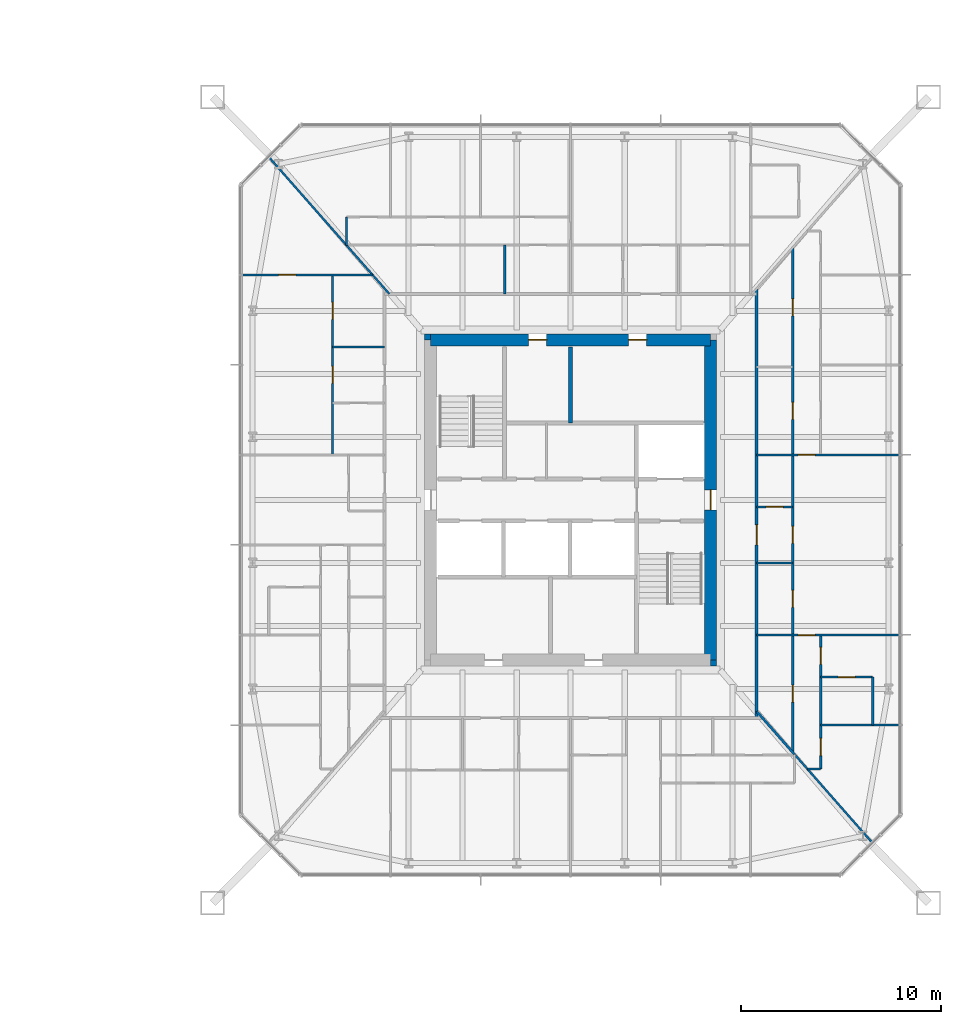
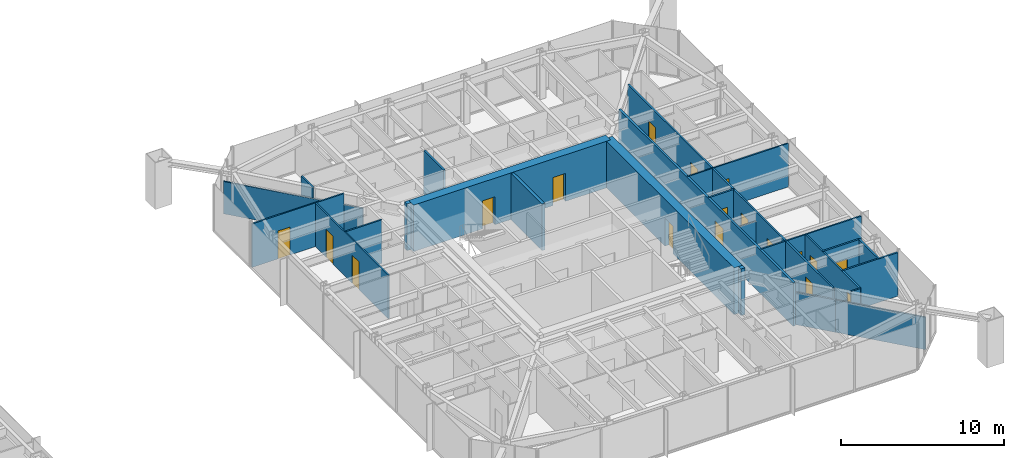
# One storey, part 20 of 26: 24 walls, 18 doors, 18 openings.
"""IFC4 building model written with IfcOpenShell, lengths in metres."""

import ifcopenshell
import ifcopenshell.guid

model = None  # the IFC model being written
_history = None  # IfcOwnerHistory: only IFC2X3 demands one
_inside = {}  # id of a spatial element -> (the spatial element, [elements in it])
_under = {}  # id of a project, library or spatial element -> (it, [spatial elements below it])
_declared = {}  # id of a project -> (the project, [libraries it declares])
_typed = {}  # id of a type object -> (the type object, [elements of that type])
_made_of = {}  # id of a material, layer set ... -> (it, [elements and type objects made of it])


def new_model(schema):
    """Start an empty IFC model of exactly this schema.

    Asked for "IFC4X3", IfcOpenShell would pick the latest addendum, in which some entities
    have other attributes; the version numbers below select the first issue.
    IFC2X3 requires an IfcOwnerHistory on every rooted entity: one is made here for all.
    """
    global model, _history
    if schema == "IFC4X3":
        model = ifcopenshell.file(schema_version=(4, 3, 0, 0))
    else:
        model = ifcopenshell.file(schema=schema)
    _inside.clear()
    _under.clear()
    _declared.clear()
    _typed.clear()
    _made_of.clear()
    _history = None
    if model.schema == "IFC2X3":
        org = make("IfcOrganization", Name="unknown")
        user = make(
            "IfcPersonAndOrganization",
            ThePerson=make("IfcPerson", FamilyName="unknown"),
            TheOrganization=org,
        )
        app = make(
            "IfcApplication",
            ApplicationDeveloper=org,
            Version="unknown",
            ApplicationFullName="unknown",
            ApplicationIdentifier="unknown",
        )
        _history = make(
            "IfcOwnerHistory",
            OwningUser=user,
            OwningApplication=app,
            ChangeAction="ADDED",
            CreationDate=0,
        )
    return model


def make(cls, **values):
    """One entity of the class cls with the attributes given. An attribute that is None is left unset."""
    return model.create_entity(
        cls, **{name: value for name, value in values.items() if value is not None}
    )


def rooted(cls, **values):
    """An entity with a GlobalId (a new one), such as an element, a storey or a relation."""
    return make(cls, GlobalId=ifcopenshell.guid.new(), OwnerHistory=_history, **values)


def si_unit(unit_type, name, prefix=None):
    """IfcSIUnit, for example si_unit("LENGTHUNIT", "METRE", prefix="MILLI")."""
    return make("IfcSIUnit", UnitType=unit_type, Prefix=prefix, Name=name)


def assignment(units):
    """IfcUnitAssignment: the units of a project."""
    return None if units is None else make("IfcUnitAssignment", Units=units)


def point(xyz):
    """IfcCartesianPoint."""
    return None if xyz is None else make("IfcCartesianPoint", Coordinates=xyz)


def direction(xyz):
    """IfcDirection."""
    return None if xyz is None else make("IfcDirection", DirectionRatios=xyz)


def frame(location, z_axis=None, x_axis=None):
    """IfcAxis2Placement3D, a coordinate frame: its origin and axes. An axis left out is left unset."""
    return make(
        "IfcAxis2Placement3D",
        Location=point(location),
        Axis=direction(z_axis),
        RefDirection=direction(x_axis),
    )


def frame_2d(location, x_axis=None):
    """IfcAxis2Placement2D, a coordinate frame in the plane: its origin and x axis."""
    return make(
        "IfcAxis2Placement2D", Location=point(location), RefDirection=direction(x_axis)
    )


def origin():
    """The frame at (0, 0, 0) with its axes left unset."""
    return frame((0.0, 0.0, 0.0))


def place(relative_to, where):
    """IfcLocalPlacement: puts the frame where relative to a parent placement (None: the world)."""
    return make(
        "IfcLocalPlacement", PlacementRelTo=relative_to, RelativePlacement=where
    )


def context(
    kind, dimensions, precision=None, world=None, true_north=None, identifier=None
):
    """IfcGeometricRepresentationContext, for example the 3D "Model" context."""
    return make(
        "IfcGeometricRepresentationContext",
        ContextIdentifier=identifier,
        ContextType=kind,
        CoordinateSpaceDimension=dimensions,
        Precision=precision,
        WorldCoordinateSystem=world,
        TrueNorth=true_north,
    )


def subcontext(parent, identifier, kind, view, scale=None):
    """IfcGeometricRepresentationSubContext, for example "Body" below "Model"."""
    return make(
        "IfcGeometricRepresentationSubContext",
        ContextIdentifier=identifier,
        ContextType=kind,
        ParentContext=parent,
        TargetScale=scale,
        TargetView=view,
    )


def project(units=None, contexts=None):
    """IfcProject with its units and contexts."""
    return rooted(
        "IfcProject",
        Name="project",
        RepresentationContexts=contexts,
        UnitsInContext=assignment(units),
    )


def spatial(cls, under=None, at=None, **own):
    """A site, building, storey or space (cls), placed at a placement, below another one or the project."""
    s = rooted(cls, ObjectPlacement=at, **own)
    if under is not None:
        _under.setdefault(under.id(), (under, []))[1].append(s)
    return s


def profile(cls, at=None, kind="AREA", **sizes):
    """A parametric profile (cls). Its sizes go by their IFC names, for example OverallWidth=200.0."""
    return make(cls, ProfileType=kind, Position=at, **sizes)


def rectangle(**sizes):
    """IfcRectangleProfileDef."""
    return profile("IfcRectangleProfileDef", **sizes)


def extrude(swept, where, along, depth):
    """IfcExtrudedAreaSolid: the profile swept, set in the frame where, extruded along a direction by depth."""
    return make(
        "IfcExtrudedAreaSolid",
        SweptArea=swept,
        Position=where,
        ExtrudedDirection=direction(along),
        Depth=depth,
    )


def shape(context_of_items, identifier, shape_type, items):
    """IfcShapeRepresentation: the items that make up one representation, for example the "Body"."""
    return make(
        "IfcShapeRepresentation",
        ContextOfItems=context_of_items,
        RepresentationIdentifier=identifier,
        RepresentationType=shape_type,
        Items=items,
    )


def material(Name=None, Category=None):
    """IfcMaterial."""
    return make("IfcMaterial", Name=Name, Category=Category)


def layer(
    of_material, thickness, ventilated=None, Name=None, Category=None, Priority=None
):
    """IfcMaterialLayer: one layer of a wall or slab, of a material (None: an air gap)."""
    return make(
        "IfcMaterialLayer",
        Material=of_material,
        LayerThickness=thickness,
        IsVentilated=ventilated,
        Name=Name,
        Category=Category,
        Priority=Priority,
    )


def layer_set(layers, Name=None):
    """IfcMaterialLayerSet."""
    return make("IfcMaterialLayerSet", MaterialLayers=layers, LayerSetName=Name)


def made_of(thing, what):
    """Note that an element or type object is made of a material, layer set ...; save() writes the relation."""
    if what is not None:
        _made_of.setdefault(what.id(), (what, []))[1].append(thing)
    return thing


def type_object(cls, material=None, **own):
    """A type object (cls), such as IfcWallType, which elements share."""
    return made_of(rooted(cls, **own), material)


def element(
    cls,
    number,
    at=None,
    inside=None,
    cuts=None,
    type_object=None,
    material=None,
    context=None,
    identifier="Body",
    shape_type=None,
    held_by="IfcProductDefinitionShape",
    body=None,
    shapes=None,
    **own,
):
    """One element of the class cls, such as IfcWall. Its Tag is "e" and its number.

    at: its placement. inside: the storey or other place that contains it. cuts: it is an
    opening in that element (IfcRelVoidsElement). A single representation is given by context,
    identifier, shape_type and body (its items); several are given by shapes. held_by: the class
    of the entity that holds the representations. save() writes the other relations.
    """
    e = rooted(cls, Tag="e%d" % number, ObjectPlacement=at, **own)
    if body is not None:
        shapes = [shape(context, identifier, shape_type, body)]
    if shapes is not None:
        e.Representation = make(held_by, Representations=shapes)
    if inside is not None:
        _inside.setdefault(inside.id(), (inside, []))[1].append(e)
    if cuts is not None:
        rooted(
            "IfcRelVoidsElement", RelatingBuildingElement=cuts, RelatedOpeningElement=e
        )
    if type_object is not None:
        _typed.setdefault(type_object.id(), (type_object, []))[1].append(e)
    return made_of(e, material)


def fill(opening, filler):
    """IfcRelFillsElement: the door or window that sits in an opening."""
    return rooted(
        "IfcRelFillsElement",
        RelatingOpeningElement=opening,
        RelatedBuildingElement=filler,
    )


def aggregate(whole, parts):
    """IfcRelAggregates: a whole, such as a stair, and the parts it consists of."""
    return rooted("IfcRelAggregates", RelatingObject=whole, RelatedObjects=parts)


def save(model, path):
    """Write the relations noted so far, then the file.

    IfcRelAggregates (storeys below a building ...), IfcRelContainedInSpatialStructure (elements
    in a storey), IfcRelDefinesByType, IfcRelAssociatesMaterial and IfcRelDeclares: one each for
    every whole, place, type object, material and project.
    """
    for whole, parts in _under.values():
        aggregate(whole, parts)
    for where, things in _inside.values():
        rooted(
            "IfcRelContainedInSpatialStructure",
            RelatedElements=things,
            RelatingStructure=where,
        )
    for kind, things in _typed.values():
        rooted("IfcRelDefinesByType", RelatedObjects=things, RelatingType=kind)
    for what, things in _made_of.values():
        rooted("IfcRelAssociatesMaterial", RelatedObjects=things, RelatingMaterial=what)
    for by, libraries in _declared.values():
        rooted("IfcRelDeclares", RelatingContext=by, RelatedDefinitions=libraries)
    model.write(path)


model = new_model("IFC4")

# Units and contexts
model_context = context("Model", 3, precision=1e-05, world=origin(), true_north=direction((0.0, 1.0)))
body_context = subcontext(model_context, "Body", "Model", "MODEL_VIEW")
ifc_project = project(units=[si_unit("LENGTHUNIT", "METRE"), si_unit("AREAUNIT", "SQUARE_METRE"), si_unit("VOLUMEUNIT", "CUBIC_METRE"), si_unit("PLANEANGLEUNIT", "RADIAN"), si_unit("MASSUNIT", "GRAM", prefix="KILO")], contexts=[model_context])

# Site, building, storey
site_placement = place(None, origin())
site = spatial("IfcSite", under=ifc_project, at=site_placement, CompositionType="ELEMENT")
building_placement = place(site_placement, origin())
building = spatial("IfcBuilding", under=site, at=building_placement, Name="Iwan Alto Co-Living Towers", CompositionType="ELEMENT")
storey_placement = place(building_placement, frame((0.0, 0.0, 57.0)))
storey = spatial("IfcBuildingStorey", under=building, at=storey_placement, Name="L15", CompositionType="ELEMENT", Elevation=57.0)

# Wall, opening, door
ifc_material_1 = material(Name="Gypsum board")
ifc_layer_1 = layer(ifc_material_1, 0.02490234375, Name="Board", Category="Finish")
ifc_material_2 = material(Name="Steel ASTM A1003 ST33H cold-formed studs", Category="steel")
ifc_layer_2 = layer(ifc_material_2, 0.10009765625, Name="Studs", Category="Framing")
ifc_layer_3 = layer(ifc_material_1, 0.02490234375, Name="Board", Category="Finish")
ifc_layer_set_1 = layer_set([ifc_layer_1, ifc_layer_2, ifc_layer_3], Name="CORRIDOR WALL 150")
wall_type_1 = type_object("IfcWallType", Name="CORRIDOR WALL 150", PredefinedType="PARTITIONING", material=ifc_layer_set_1)
wall_1_placement = place(storey_placement, frame((72.300048828125, -10.89990234375, 0.0), z_axis=(0.0, 0.0, 1.0), x_axis=(0.0, 1.0, 0.0)))
wall_1 = element("IfcWall", 1, at=wall_1_placement, inside=storey, type_object=wall_type_1, Name="Partition L15", PredefinedType="PARTITIONING", context=body_context, shape_type="SweptSolid", body=[
    extrude(rectangle(XDim=21.468017578125, YDim=0.14990234375, at=frame_2d((10.73388671875, 0.0))), origin(), (0.0, 0.0, 1.0), 3.27001953125),
])
opening_1_placement = place(wall_1_placement, frame((8.64990234375, 0.0, 0.0)))
opening_1 = element("IfcOpeningElement", 2, at=opening_1_placement, cuts=wall_1, Name="Opening D3", PredefinedType="OPENING", context=body_context, shape_type="SweptSolid", body=[
    extrude(rectangle(XDim=1.0, YDim=2.10009765625, at=frame_2d((0.5, 1.050048828125))), frame((0.0, 0.0849609375, 0.0), z_axis=(0.0, -1.0, 0.0), x_axis=(1.0, 0.0, 0.0)), (0.0, 0.0, 1.0), 0.169921875),
])
ifc_material_3 = material(Name="Steel frame with timber leaf", Category="steel")
door_type_1 = type_object("IfcDoorType", Name="FLAT ENTRANCE DOOR FD30S 1000X2100", OperationType="SINGLE_SWING_LEFT", PredefinedType="DOOR", material=ifc_material_3)
door_1_placement = place(opening_1_placement, frame((1.0, 0.0, 0.0), z_axis=(0.0, 0.0, 1.0), x_axis=(-1.0, 0.0, 0.0)))
door_1 = element("IfcDoor", 3, at=door_1_placement, inside=storey, type_object=door_type_1, Name="Apartment foyer door L15", OperationType="SINGLE_SWING_RIGHT", OverallHeight=2.10009765625, OverallWidth=1.0, PredefinedType="DOOR", context=body_context, shape_type="SweptSolid", body=[
    extrude(rectangle(XDim=1.0, YDim=2.10009765625, at=frame_2d((0.5, 1.050048828125))), frame((0.0, 0.02490234375, 0.0), z_axis=(0.0, -1.0, 0.0), x_axis=(1.0, 0.0, 0.0)), (0.0, 0.0, 1.0), 0.050048828125),
])
fill(opening_1, door_1)

# Wall
ifc_layer_4 = layer(ifc_material_1, 0.012451171875, Name="Board", Category="Finish")
ifc_layer_5 = layer(ifc_material_2, 0.074951171875, Name="Studs", Category="Framing")
ifc_layer_6 = layer(ifc_material_1, 0.012451171875, Name="Board", Category="Finish")
ifc_layer_set_2 = layer_set([ifc_layer_4, ifc_layer_5, ifc_layer_6], Name="PARTITION 100")
wall_type_2 = type_object("IfcWallType", Name="PARTITION 100", PredefinedType="PARTITIONING", material=ifc_layer_set_2)
wall_2_placement = place(storey_placement, frame((74.8359375, -13.449951171875, 0.0), z_axis=(0.0, 0.0, 1.0), x_axis=(1.0, 0.0, 0.0)))
element("IfcWall", 4, at=wall_2_placement, inside=storey, type_object=wall_type_2, Name="Partition L15", PredefinedType="PARTITIONING", context=body_context, shape_type="SweptSolid", body=[
    extrude(rectangle(XDim=0.6640625, YDim=0.10009765625, at=frame_2d((0.33203125, 0.0))), origin(), (0.0, 0.0, 1.0), 3.27001953125),
])

# Wall, opening, door
wall_3_placement = place(storey_placement, frame((72.300048828125, -6.75, 0.0), z_axis=(0.0, 0.0, 1.0), x_axis=(1.0, 0.0, 0.0)))
wall_3 = element("IfcWall", 5, at=wall_3_placement, inside=storey, type_object=wall_type_2, Name="Partition L15", PredefinedType="PARTITIONING", context=body_context, shape_type="SweptSolid", body=[
    extrude(rectangle(XDim=7.139892578125, YDim=0.10009765625, at=frame_2d((3.56982421875, 0.0))), origin(), (0.0, 0.0, 1.0), 3.27001953125),
])
opening_2_placement = place(wall_3_placement, frame((2.074951171875, 0.0, 0.0)))
opening_2 = element("IfcOpeningElement", 6, at=opening_2_placement, cuts=wall_3, Name="Opening D2", PredefinedType="OPENING", context=body_context, shape_type="SweptSolid", body=[
    extrude(rectangle(XDim=0.85009765625, YDim=2.10009765625, at=frame_2d((0.425048828125, 1.050048828125))), frame((0.0, 0.06005859375, 0.0), z_axis=(0.0, -1.0, 0.0), x_axis=(1.0, 0.0, 0.0)), (0.0, 0.0, 1.0), 0.1201171875),
])
ifc_material_4 = material(Name="Timber leaf in steel frame", Category="steel")
door_type_2 = type_object("IfcDoorType", Name="ROOM DOOR 850X2100", OperationType="SINGLE_SWING_LEFT", PredefinedType="DOOR", material=ifc_material_4)
door_2_placement = place(opening_2_placement, origin())
door_2 = element("IfcDoor", 7, at=door_2_placement, inside=storey, type_object=door_type_2, Name="Apartment hall door L15", OperationType="SINGLE_SWING_LEFT", OverallHeight=2.10009765625, OverallWidth=0.85009765625, PredefinedType="DOOR", context=body_context, shape_type="SweptSolid", body=[
    extrude(rectangle(XDim=0.85009765625, YDim=2.10009765625, at=frame_2d((0.425048828125, 1.050048828125))), frame((0.0, 0.02490234375, 0.0), z_axis=(0.0, -1.0, 0.0), x_axis=(1.0, 0.0, 0.0)), (0.0, 0.0, 1.0), 0.050048828125),
])
fill(opening_2, door_2)

# Wall
wall_4_placement = place(storey_placement, frame((72.300048828125, -3.14990234375, 0.0), z_axis=(0.0, 0.0, 1.0), x_axis=(1.0, 0.0, 0.0)))
element("IfcWall", 8, at=wall_4_placement, inside=storey, type_object=wall_type_2, Name="Partition L15", PredefinedType="PARTITIONING", context=body_context, shape_type="SweptSolid", body=[
    extrude(rectangle(XDim=1.800048828125, YDim=0.10009765625, at=frame_2d((0.89990234375, 0.0))), origin(), (0.0, 0.0, 1.0), 2.586669921875),
])

# Wall, opening, door
wall_5_placement = place(storey_placement, frame((72.300048828125, 2.25, 0.0), z_axis=(0.0, 0.0, 1.0), x_axis=(1.0, 0.0, 0.0)))
wall_5 = element("IfcWall", 9, at=wall_5_placement, inside=storey, type_object=wall_type_2, Name="Partition L15", PredefinedType="PARTITIONING", context=body_context, shape_type="SweptSolid", body=[
    extrude(rectangle(XDim=7.139892578125, YDim=0.10009765625, at=frame_2d((3.56982421875, 0.0))), origin(), (0.0, 0.0, 1.0), 3.27001953125),
])
opening_3_placement = place(wall_5_placement, frame((2.074951171875, 0.0, 0.0)))
opening_3 = element("IfcOpeningElement", 10, at=opening_3_placement, cuts=wall_5, Name="Opening D2", PredefinedType="OPENING", context=body_context, shape_type="SweptSolid", body=[
    extrude(rectangle(XDim=0.85009765625, YDim=2.10009765625, at=frame_2d((0.425048828125, 1.050048828125))), frame((0.0, 0.06005859375, 0.0), z_axis=(0.0, -1.0, 0.0), x_axis=(1.0, 0.0, 0.0)), (0.0, 0.0, 1.0), 0.1201171875),
])
door_3_placement = place(opening_3_placement, frame((0.85009765625, 0.0, 0.0), z_axis=(0.0, 0.0, 1.0), x_axis=(-1.0, 0.0, 0.0)))
door_3 = element("IfcDoor", 11, at=door_3_placement, inside=storey, type_object=door_type_2, Name="Apartment hall door L15", OperationType="SINGLE_SWING_RIGHT", OverallHeight=2.10009765625, OverallWidth=0.85009765625, PredefinedType="DOOR", context=body_context, shape_type="SweptSolid", body=[
    extrude(rectangle(XDim=0.85009765625, YDim=2.10009765625, at=frame_2d((0.425048828125, 1.050048828125))), frame((0.0, 0.02490234375, 0.0), z_axis=(0.0, -1.0, 0.0), x_axis=(1.0, 0.0, 0.0)), (0.0, 0.0, 1.0), 0.050048828125),
])
fill(opening_3, door_3)

# Wall
wall_6_placement = place(storey_placement, frame((51.10009765625, 7.64990234375, 0.0), z_axis=(0.0, 0.0, 1.0), x_axis=(1.0, 0.0, 0.0)))
element("IfcWall", 12, at=wall_6_placement, inside=storey, type_object=wall_type_2, Name="Partition L15", PredefinedType="PARTITIONING", context=body_context, shape_type="SweptSolid", body=[
    extrude(rectangle(XDim=2.599853515625, YDim=0.10009765625, at=frame_2d((1.2998046875, 0.0))), origin(), (0.0, 0.0, 1.0), 3.27001953125),
])

# Wall, opening, door
wall_7_placement = place(storey_placement, frame((46.56005859375, 11.25, 0.0), z_axis=(0.0, 0.0, 1.0), x_axis=(1.0, 0.0, 0.0)))
wall_7 = element("IfcWall", 13, at=wall_7_placement, inside=storey, type_object=wall_type_2, Name="Partition L15", PredefinedType="PARTITIONING", context=body_context, shape_type="SweptSolid", body=[
    extrude(rectangle(XDim=6.5400390625, YDim=0.10009765625, at=frame_2d((3.27001953125, 0.0))), origin(), (0.0, 0.0, 1.0), 3.27001953125),
])
opening_4_placement = place(wall_7_placement, frame((1.844970703125, 0.0, 0.0)))
opening_4 = element("IfcOpeningElement", 14, at=opening_4_placement, cuts=wall_7, Name="Opening D2", PredefinedType="OPENING", context=body_context, shape_type="SweptSolid", body=[
    extrude(rectangle(XDim=0.85009765625, YDim=2.10009765625, at=frame_2d((0.425048828125, 1.050048828125))), frame((0.0, 0.06005859375, 0.0), z_axis=(0.0, -1.0, 0.0), x_axis=(1.0, 0.0, 0.0)), (0.0, 0.0, 1.0), 0.1201171875),
])
door_4_placement = place(opening_4_placement, frame((0.85009765625, 0.0, 0.0), z_axis=(0.0, 0.0, 1.0), x_axis=(-1.0, 0.0, 0.0)))
door_4 = element("IfcDoor", 15, at=door_4_placement, inside=storey, type_object=door_type_2, Name="Bedroom door L15", OperationType="SINGLE_SWING_LEFT", OverallHeight=2.10009765625, OverallWidth=0.85009765625, PredefinedType="DOOR", context=body_context, shape_type="SweptSolid", body=[
    extrude(rectangle(XDim=0.85009765625, YDim=2.10009765625, at=frame_2d((0.425048828125, 1.050048828125))), frame((0.0, 0.02490234375, 0.0), z_axis=(0.0, -1.0, 0.0), x_axis=(1.0, 0.0, 0.0)), (0.0, 0.0, 1.0), 0.050048828125),
])
fill(opening_4, door_4)

# Wall
wall_8_placement = place(storey_placement, frame((51.800048828125, 12.72705078125, 0.0), z_axis=(0.0, 0.0, 1.0), x_axis=(0.0, 1.0, 0.0)))
element("IfcWall", 16, at=wall_8_placement, inside=storey, type_object=wall_type_2, Name="Partition L15", PredefinedType="PARTITIONING", context=body_context, shape_type="SweptSolid", body=[
    extrude(rectangle(XDim=1.4228515625, YDim=0.10009765625, at=frame_2d((0.71142578125, 0.0))), origin(), (0.0, 0.0, 1.0), 3.27001953125),
])

# Wall, openings, doors
wall_9_placement = place(storey_placement, frame((51.10009765625, 2.25, 0.0), z_axis=(0.0, 0.0, 1.0), x_axis=(0.0, 1.0, 0.0)))
wall_9 = element("IfcWall", 17, at=wall_9_placement, inside=storey, type_object=wall_type_2, Name="Partition L15", PredefinedType="PARTITIONING", context=body_context, shape_type="SweptSolid", body=[
    extrude(rectangle(XDim=9.0, YDim=0.10009765625, at=frame_2d((4.5, 0.0))), origin(), (0.0, 0.0, 1.0), 3.27001953125),
])
opening_5_placement = place(wall_9_placement, frame((6.77490234375, 0.0, 0.0)))
opening_5 = element("IfcOpeningElement", 18, at=opening_5_placement, cuts=wall_9, Name="Opening D2", PredefinedType="OPENING", context=body_context, shape_type="SweptSolid", body=[
    extrude(rectangle(XDim=0.85009765625, YDim=2.10009765625, at=frame_2d((0.425048828125, 1.050048828125))), frame((0.0, 0.06005859375, 0.0), z_axis=(0.0, -1.0, 0.0), x_axis=(1.0, 0.0, 0.0)), (0.0, 0.0, 1.0), 0.1201171875),
])
opening_6_placement = place(wall_9_placement, frame((3.574951171875, 0.0, 0.0)))
opening_6 = element("IfcOpeningElement", 19, at=opening_6_placement, cuts=wall_9, Name="Opening D2", PredefinedType="OPENING", context=body_context, shape_type="SweptSolid", body=[
    extrude(rectangle(XDim=0.85009765625, YDim=2.10009765625, at=frame_2d((0.425048828125, 1.050048828125))), frame((0.0, 0.06005859375, 0.0), z_axis=(0.0, -1.0, 0.0), x_axis=(1.0, 0.0, 0.0)), (0.0, 0.0, 1.0), 0.1201171875),
])
door_5_placement = place(opening_5_placement, origin())
door_5 = element("IfcDoor", 20, at=door_5_placement, inside=storey, type_object=door_type_2, Name="Kitchen door L15", OperationType="SINGLE_SWING_RIGHT", OverallHeight=2.10009765625, OverallWidth=0.85009765625, PredefinedType="DOOR", context=body_context, shape_type="SweptSolid", body=[
    extrude(rectangle(XDim=0.85009765625, YDim=2.10009765625, at=frame_2d((0.425048828125, 1.050048828125))), frame((0.0, 0.02490234375, 0.0), z_axis=(0.0, -1.0, 0.0), x_axis=(1.0, 0.0, 0.0)), (0.0, 0.0, 1.0), 0.050048828125),
])
fill(opening_5, door_5)
door_6_placement = place(opening_6_placement, origin())
door_6 = element("IfcDoor", 21, at=door_6_placement, inside=storey, type_object=door_type_2, Name="Apartment foyer door L15", OperationType="SINGLE_SWING_LEFT", OverallHeight=2.10009765625, OverallWidth=0.85009765625, PredefinedType="DOOR", context=body_context, shape_type="SweptSolid", body=[
    extrude(rectangle(XDim=0.85009765625, YDim=2.10009765625, at=frame_2d((0.425048828125, 1.050048828125))), frame((0.0, 0.02490234375, 0.0), z_axis=(0.0, -1.0, 0.0), x_axis=(1.0, 0.0, 0.0)), (0.0, 0.0, 1.0), 0.050048828125),
])
fill(opening_6, door_6)

# Walls
wall_10_placement = place(storey_placement, frame((53.93603515625, 10.300048828125, 0.0), z_axis=(0.0, 0.0, 1.0), x_axis=(-0.660638210404, 0.750704439146, 0.0)))
element("IfcWall", 22, at=wall_10_placement, inside=storey, type_object=wall_type_2, Name="Partition L15", PredefinedType="PARTITIONING", context=body_context, shape_type="SweptSolid", body=[
    extrude(rectangle(XDim=9.06982421875, YDim=0.10009765625, at=frame_2d((4.534912109375, 0.0))), origin(), (0.0, 0.0, 1.0), 2.42919921875),
])
wall_11_placement = place(storey_placement, frame((78.056640625, -17.109375, 0.0), z_axis=(0.0, 0.0, 1.0), x_axis=(-0.660654290516, 0.750690287951, 0.0)))
element("IfcWall", 23, at=wall_11_placement, inside=storey, type_object=wall_type_2, Name="Partition L15", PredefinedType="PARTITIONING", context=body_context, shape_type="SweptSolid", body=[
    extrude(rectangle(XDim=5.838134765625, YDim=0.10009765625, at=frame_2d((2.9189453125, 0.0))), origin(), (0.0, 0.0, 1.0), 2.42919921875),
])
ifc_material_5 = material(Name="Concrete f'c 70 MPa", Category="concrete")
ifc_layer_7 = layer(ifc_material_5, 0.199951171875)
ifc_layer_set_3 = layer_set([ifc_layer_7], Name="SHAFT WALL 200")
wall_type_3 = type_object("IfcWallType", Name="SHAFT WALL 200", PredefinedType="SOLIDWALL", material=ifc_layer_set_3)
wall_12_placement = place(storey_placement, frame((63.0, 3.85009765625, 0.0), z_axis=(0.0, 0.0, 1.0), x_axis=(0.0, 1.0, 0.0)))
element("IfcWall", 24, at=wall_12_placement, inside=storey, type_object=wall_type_3, Name="Shaft wall L15", PredefinedType="SOLIDWALL", context=body_context, shape_type="SweptSolid", body=[
    extrude(rectangle(XDim=3.789794921875, YDim=0.199951171875, at=frame_2d((1.89501953125, 0.0))), origin(), (0.0, 0.0, 1.0), 3.5),
])
ifc_material_6 = material(Name="Concrete f'c 70 MPa", Category="concrete")
ifc_layer_8 = layer(ifc_material_6, 0.300048828125)
ifc_layer_set_4 = layer_set([ifc_layer_8], Name="T2 CORE CORNER FILL 300")
wall_type_4 = type_object("IfcWallType", Name="T2 CORE CORNER FILL 300", PredefinedType="SOLIDWALL", material=ifc_layer_set_4)
for number, where, z_axis, x_axis, name in (
    (25, (70.0, -8.14990234375, 0.0), (0.0, 0.0, 1.0), (1.0, 0.0, 0.0), "T2 core corner SE L15"),
    (26, (55.699951171875, 8.14990234375, 0.0), (0.0, 0.0, 1.0), (1.0, 0.0, 0.0), "T2 core corner NW L15"),
):
    element("IfcWall", number, at=place(storey_placement, frame(where, z_axis=z_axis, x_axis=x_axis)), inside=storey, type_object=wall_type_4, Name=name, PredefinedType="SOLIDWALL", context=body_context, shape_type="SweptSolid", body=[
        extrude(rectangle(XDim=0.300048828125, YDim=0.300048828125, at=frame_2d((0.14990234375, 0.0))), origin(), (0.0, 0.0, 1.0), 3.5),
    ])

# Wall, openings, doors
ifc_material_7 = material(Name="Concrete f'c 70 MPa", Category="concrete")
ifc_layer_9 = layer(ifc_material_7, 0.60009765625)
ifc_layer_set_5 = layer_set([ifc_layer_9], Name="T2 CORE WALL 600")
wall_type_5 = type_object("IfcWallType", Name="T2 CORE WALL 600", PredefinedType="SHEAR", material=ifc_layer_set_5)
wall_13_placement = place(storey_placement, frame((70.0, 8.0, 0.0), z_axis=(0.0, 0.0, 1.0), x_axis=(-1.0, 0.0, 0.0)))
wall_13 = element("IfcWall", 27, at=wall_13_placement, inside=storey, type_object=wall_type_5, Name="T2 core wall N L15", PredefinedType="SHEAR", context=body_context, shape_type="SweptSolid", body=[
    extrude(rectangle(XDim=14.0, YDim=0.60009765625, at=frame_2d((7.0, 0.0))), origin(), (0.0, 0.0, 1.0), 3.5),
])
opening_7_placement = place(wall_13_placement, frame((8.199951171875, 0.0, 0.0)))
opening_7 = element("IfcOpeningElement", 28, at=opening_7_placement, cuts=wall_13, Name="Opening D8", PredefinedType="OPENING", context=body_context, shape_type="SweptSolid", body=[
    extrude(rectangle(XDim=0.89990234375, YDim=2.10009765625, at=frame_2d((0.449951171875, 1.050048828125))), frame((0.0, 0.31005859375, 0.0), z_axis=(0.0, -1.0, 0.0), x_axis=(1.0, 0.0, 0.0)), (0.0, 0.0, 1.0), 0.6201171875),
])
opening_8_placement = place(wall_13_placement, frame((3.199951171875, 0.0, 0.0)))
opening_8 = element("IfcOpeningElement", 29, at=opening_8_placement, cuts=wall_13, Name="Opening D8", PredefinedType="OPENING", context=body_context, shape_type="SweptSolid", body=[
    extrude(rectangle(XDim=0.89990234375, YDim=2.10009765625, at=frame_2d((0.449951171875, 1.050048828125))), frame((0.0, 0.31005859375, 0.0), z_axis=(0.0, -1.0, 0.0), x_axis=(1.0, 0.0, 0.0)), (0.0, 0.0, 1.0), 0.6201171875),
])
ifc_material_8 = material(Name="Steel frame with timber leaf", Category="steel")
door_type_3 = type_object("IfcDoorType", Name="RISER DOOR FD120 900X2100", OperationType="SINGLE_SWING_LEFT", PredefinedType="DOOR", material=ifc_material_8)
door_7_placement = place(opening_7_placement, origin())
door_7 = element("IfcDoor", 30, at=door_7_placement, inside=storey, type_object=door_type_3, Name="Electrical riser core door L15", OperationType="SINGLE_SWING_RIGHT", OverallHeight=2.10009765625, OverallWidth=0.89990234375, PredefinedType="DOOR", context=body_context, shape_type="SweptSolid", body=[
    extrude(rectangle(XDim=0.89990234375, YDim=2.10009765625, at=frame_2d((0.449951171875, 1.050048828125))), frame((0.0, 0.02490234375, 0.0), z_axis=(0.0, -1.0, 0.0), x_axis=(1.0, 0.0, 0.0)), (0.0, 0.0, 1.0), 0.050048828125),
])
fill(opening_7, door_7)
door_8_placement = place(opening_8_placement, origin())
door_8 = element("IfcDoor", 31, at=door_8_placement, inside=storey, type_object=door_type_3, Name="Water and drainage riser core door L15", OperationType="SINGLE_SWING_RIGHT", OverallHeight=2.10009765625, OverallWidth=0.89990234375, PredefinedType="DOOR", context=body_context, shape_type="SweptSolid", body=[
    extrude(rectangle(XDim=0.89990234375, YDim=2.10009765625, at=frame_2d((0.449951171875, 1.050048828125))), frame((0.0, 0.02490234375, 0.0), z_axis=(0.0, -1.0, 0.0), x_axis=(1.0, 0.0, 0.0)), (0.0, 0.0, 1.0), 0.050048828125),
])
fill(opening_8, door_8)

# Wall, opening, door
wall_14_placement = place(storey_placement, frame((70.0, -8.0, 0.0), z_axis=(0.0, 0.0, 1.0), x_axis=(0.0, 1.0, 0.0)))
wall_14 = element("IfcWall", 32, at=wall_14_placement, inside=storey, type_object=wall_type_5, Name="T2 core wall E L15", PredefinedType="SHEAR", context=body_context, shape_type="SweptSolid", body=[
    extrude(rectangle(XDim=16.0, YDim=0.60009765625, at=frame_2d((8.0, 0.0))), origin(), (0.0, 0.0, 1.0), 3.5),
])
opening_9_placement = place(wall_14_placement, frame((7.5, 0.0, 0.0)))
opening_9 = element("IfcOpeningElement", 33, at=opening_9_placement, cuts=wall_14, Name="Opening D7", PredefinedType="OPENING", context=body_context, shape_type="SweptSolid", body=[
    extrude(rectangle(XDim=1.0, YDim=2.10009765625, at=frame_2d((0.5, 1.050048828125))), frame((0.0, 0.31005859375, 0.0), z_axis=(0.0, -1.0, 0.0), x_axis=(1.0, 0.0, 0.0)), (0.0, 0.0, 1.0), 0.6201171875),
])
ifc_material_9 = material(Name="Steel frame with timber leaf", Category="steel")
door_type_4 = type_object("IfcDoorType", Name="CORE DOOR FD120S 1000X2100", OperationType="SINGLE_SWING_LEFT", PredefinedType="DOOR", material=ifc_material_9)
door_9_placement = place(opening_9_placement, origin())
door_9 = element("IfcDoor", 34, at=door_9_placement, inside=storey, type_object=door_type_4, Name="Firefighting lobby core door L15", OperationType="SINGLE_SWING_LEFT", OverallHeight=2.10009765625, OverallWidth=1.0, PredefinedType="DOOR", context=body_context, shape_type="SweptSolid", body=[
    extrude(rectangle(XDim=1.0, YDim=2.10009765625, at=frame_2d((0.5, 1.050048828125))), frame((0.0, 0.02490234375, 0.0), z_axis=(0.0, -1.0, 0.0), x_axis=(1.0, 0.0, 0.0)), (0.0, 0.0, 1.0), 0.050048828125),
])
fill(opening_9, door_9)

# Wall
ifc_material_10 = material(Name="Cement board")
ifc_layer_10 = layer(ifc_material_10, 0.012451171875, Name="Board", Category="Finish")
ifc_layer_11 = layer(ifc_material_2, 0.094970703125, Name="Studs", Category="Framing")
ifc_layer_12 = layer(ifc_material_10, 0.012451171875, Name="Board", Category="Finish")
ifc_layer_set_6 = layer_set([ifc_layer_10, ifc_layer_11, ifc_layer_12], Name="WET AREA PARTITION 120")
wall_type_6 = type_object("IfcWallType", Name="WET AREA PARTITION 120", PredefinedType="PARTITIONING", material=ifc_layer_set_6)
wall_15_placement = place(storey_placement, frame((75.5, -11.25, 0.0), z_axis=(0.0, 0.0, 1.0), x_axis=(1.0, 0.0, 0.0)))
element("IfcWall", 35, at=wall_15_placement, inside=storey, type_object=wall_type_6, Name="Partition L15", PredefinedType="PARTITIONING", context=body_context, shape_type="SweptSolid", body=[
    extrude(rectangle(XDim=3.93994140625, YDim=0.1201171875, at=frame_2d((1.969970703125, 0.0))), origin(), (0.0, 0.0, 1.0), 3.27001953125),
])

# Wall, opening, door
wall_16_placement = place(storey_placement, frame((75.5, -8.85009765625, 0.0), z_axis=(0.0, 0.0, 1.0), x_axis=(1.0, 0.0, 0.0)))
wall_16 = element("IfcWall", 36, at=wall_16_placement, inside=storey, type_object=wall_type_6, Name="Partition L15", PredefinedType="PARTITIONING", context=body_context, shape_type="SweptSolid", body=[
    extrude(rectangle(XDim=2.60009765625, YDim=0.1201171875, at=frame_2d((1.300048828125, 0.0))), origin(), (0.0, 0.0, 1.0), 3.27001953125),
])
opening_10_placement = place(wall_16_placement, frame((0.875, 0.0, 0.0)))
opening_10 = element("IfcOpeningElement", 37, at=opening_10_placement, cuts=wall_16, Name="Opening D2", PredefinedType="OPENING", context=body_context, shape_type="SweptSolid", body=[
    extrude(rectangle(XDim=0.85009765625, YDim=2.10009765625, at=frame_2d((0.425048828125, 1.050048828125))), frame((0.0, 0.070068359375, 0.0), z_axis=(0.0, -1.0, 0.0), x_axis=(1.0, 0.0, 0.0)), (0.0, 0.0, 1.0), 0.14013671875),
])
door_10_placement = place(opening_10_placement, origin())
door_10 = element("IfcDoor", 38, at=door_10_placement, inside=storey, type_object=door_type_2, Name="En-suite shower room door L15", OperationType="SINGLE_SWING_LEFT", OverallHeight=2.10009765625, OverallWidth=0.85009765625, PredefinedType="DOOR", context=body_context, shape_type="SweptSolid", body=[
    extrude(rectangle(XDim=0.85009765625, YDim=2.10009765625, at=frame_2d((0.425048828125, 1.050048828125))), frame((0.0, 0.02490234375, 0.0), z_axis=(0.0, -1.0, 0.0), x_axis=(1.0, 0.0, 0.0)), (0.0, 0.0, 1.0), 0.050048828125),
])
fill(opening_10, door_10)

wall_17_placement = place(storey_placement, frame((72.300048828125, -0.35009765625, 0.0), z_axis=(0.0, 0.0, 1.0), x_axis=(1.0, 0.0, 0.0)))
wall_17 = element("IfcWall", 39, at=wall_17_placement, inside=storey, type_object=wall_type_6, Name="Partition L15", PredefinedType="PARTITIONING", context=body_context, shape_type="SweptSolid", body=[
    extrude(rectangle(XDim=1.800048828125, YDim=0.1201171875, at=frame_2d((0.89990234375, 0.0))), origin(), (0.0, 0.0, 1.0), 3.27001953125),
])
opening_11_placement = place(wall_17_placement, frame((0.47509765625, 0.0, 0.0)))
opening_11 = element("IfcOpeningElement", 40, at=opening_11_placement, cuts=wall_17, Name="Opening D2", PredefinedType="OPENING", context=body_context, shape_type="SweptSolid", body=[
    extrude(rectangle(XDim=0.85009765625, YDim=2.10009765625, at=frame_2d((0.425048828125, 1.050048828125))), frame((0.0, 0.070068359375, 0.0), z_axis=(0.0, -1.0, 0.0), x_axis=(1.0, 0.0, 0.0)), (0.0, 0.0, 1.0), 0.14013671875),
])
door_11_placement = place(opening_11_placement, origin())
door_11 = element("IfcDoor", 41, at=door_11_placement, inside=storey, type_object=door_type_2, Name="Bathroom door L15", OperationType="SINGLE_SWING_LEFT", OverallHeight=2.10009765625, OverallWidth=0.85009765625, PredefinedType="DOOR", context=body_context, shape_type="SweptSolid", body=[
    extrude(rectangle(XDim=0.85009765625, YDim=2.10009765625, at=frame_2d((0.425048828125, 1.050048828125))), frame((0.0, 0.02490234375, 0.0), z_axis=(0.0, -1.0, 0.0), x_axis=(1.0, 0.0, 0.0)), (0.0, 0.0, 1.0), 0.050048828125),
])
fill(opening_11, door_11)

# Wall
wall_18_placement = place(storey_placement, frame((78.10009765625, -11.25, 0.0), z_axis=(0.0, 0.0, 1.0), x_axis=(0.0, 1.0, 0.0)))
element("IfcWall", 42, at=wall_18_placement, inside=storey, type_object=wall_type_6, Name="Partition L15", PredefinedType="PARTITIONING", context=body_context, shape_type="SweptSolid", body=[
    extrude(rectangle(XDim=2.39990234375, YDim=0.1201171875, at=frame_2d((1.199951171875, 0.0))), origin(), (0.0, 0.0, 1.0), 3.27001953125),
])

# Wall, openings, doors
wall_19_placement = place(storey_placement, frame((75.5, -13.449951171875, 0.0), z_axis=(0.0, 0.0, 1.0), x_axis=(0.0, 1.0, 0.0)))
wall_19 = element("IfcWall", 43, at=wall_19_placement, inside=storey, type_object=wall_type_6, Name="Partition L15", PredefinedType="PARTITIONING", context=body_context, shape_type="SweptSolid", body=[
    extrude(rectangle(XDim=6.699951171875, YDim=0.1201171875, at=frame_2d((3.35009765625, 0.0))), origin(), (0.0, 0.0, 1.0), 3.27001953125),
])
opening_12_placement = place(wall_19_placement, frame((5.22509765625, 0.0, 0.0)))
opening_12 = element("IfcOpeningElement", 44, at=opening_12_placement, cuts=wall_19, Name="Opening D2", PredefinedType="OPENING", context=body_context, shape_type="SweptSolid", body=[
    extrude(rectangle(XDim=0.85009765625, YDim=2.10009765625, at=frame_2d((0.425048828125, 1.050048828125))), frame((0.0, 0.070068359375, 0.0), z_axis=(0.0, -1.0, 0.0), x_axis=(1.0, 0.0, 0.0)), (0.0, 0.0, 1.0), 0.14013671875),
])
opening_13_placement = place(wall_19_placement, frame((0.675048828125, 0.0, 0.0)))
opening_13 = element("IfcOpeningElement", 45, at=opening_13_placement, cuts=wall_19, Name="Opening D2", PredefinedType="OPENING", context=body_context, shape_type="SweptSolid", body=[
    extrude(rectangle(XDim=0.85009765625, YDim=2.10009765625, at=frame_2d((0.425048828125, 1.050048828125))), frame((0.0, 0.070068359375, 0.0), z_axis=(0.0, -1.0, 0.0), x_axis=(1.0, 0.0, 0.0)), (0.0, 0.0, 1.0), 0.14013671875),
])
door_12_placement = place(opening_12_placement, frame((0.85009765625, 0.0, 0.0), z_axis=(0.0, 0.0, 1.0), x_axis=(-1.0, 0.0, 0.0)))
door_12 = element("IfcDoor", 46, at=door_12_placement, inside=storey, type_object=door_type_2, Name="Bedroom door L15", OperationType="SINGLE_SWING_RIGHT", OverallHeight=2.10009765625, OverallWidth=0.85009765625, PredefinedType="DOOR", context=body_context, shape_type="SweptSolid", body=[
    extrude(rectangle(XDim=0.85009765625, YDim=2.10009765625, at=frame_2d((0.425048828125, 1.050048828125))), frame((0.0, 0.02490234375, 0.0), z_axis=(0.0, -1.0, 0.0), x_axis=(1.0, 0.0, 0.0)), (0.0, 0.0, 1.0), 0.050048828125),
])
fill(opening_12, door_12)
door_13_placement = place(opening_13_placement, frame((0.85009765625, 0.0, 0.0), z_axis=(0.0, 0.0, 1.0), x_axis=(-1.0, 0.0, 0.0)))
door_13 = element("IfcDoor", 47, at=door_13_placement, inside=storey, type_object=door_type_2, Name="Bedroom door L15", OperationType="SINGLE_SWING_LEFT", OverallHeight=2.10009765625, OverallWidth=0.85009765625, PredefinedType="DOOR", context=body_context, shape_type="SweptSolid", body=[
    extrude(rectangle(XDim=0.85009765625, YDim=2.10009765625, at=frame_2d((0.425048828125, 1.050048828125))), frame((0.0, 0.02490234375, 0.0), z_axis=(0.0, -1.0, 0.0), x_axis=(1.0, 0.0, 0.0)), (0.0, 0.0, 1.0), 0.050048828125),
])
fill(opening_13, door_13)

wall_20_placement = place(storey_placement, frame((74.10009765625, -12.614013671875, 0.0), z_axis=(0.0, 0.0, 1.0), x_axis=(0.0, 1.0, 0.0)))
wall_20 = element("IfcWall", 48, at=wall_20_placement, inside=storey, type_object=wall_type_6, Name="Partition L15", PredefinedType="PARTITIONING", context=body_context, shape_type="SweptSolid", body=[
    extrude(rectangle(XDim=25.22802734375, YDim=0.1201171875, at=frame_2d((12.614013671875, 0.0))), origin(), (0.0, 0.0, 1.0), 3.27001953125),
])
opening_14_placement = place(wall_20_placement, frame((7.239013671875, 0.0, 0.0)))
opening_14 = element("IfcOpeningElement", 49, at=opening_14_placement, cuts=wall_20, Name="Opening D2", PredefinedType="OPENING", context=body_context, shape_type="SweptSolid", body=[
    extrude(rectangle(XDim=0.85009765625, YDim=2.10009765625, at=frame_2d((0.425048828125, 1.050048828125))), frame((0.0, 0.070068359375, 0.0), z_axis=(0.0, -1.0, 0.0), x_axis=(1.0, 0.0, 0.0)), (0.0, 0.0, 1.0), 0.14013671875),
])
opening_15_placement = place(wall_20_placement, frame((10.43896484375, 0.0, 0.0)))
opening_15 = element("IfcOpeningElement", 50, at=opening_15_placement, cuts=wall_20, Name="Opening D2", PredefinedType="OPENING", context=body_context, shape_type="SweptSolid", body=[
    extrude(rectangle(XDim=0.85009765625, YDim=2.10009765625, at=frame_2d((0.425048828125, 1.050048828125))), frame((0.0, 0.070068359375, 0.0), z_axis=(0.0, -1.0, 0.0), x_axis=(1.0, 0.0, 0.0)), (0.0, 0.0, 1.0), 0.14013671875),
])
opening_16_placement = place(wall_20_placement, frame((2.507080078125, 0.0, 0.0)))
opening_16 = element("IfcOpeningElement", 51, at=opening_16_placement, cuts=wall_20, Name="Opening D2", PredefinedType="OPENING", context=body_context, shape_type="SweptSolid", body=[
    extrude(rectangle(XDim=0.85009765625, YDim=2.10009765625, at=frame_2d((0.425048828125, 1.050048828125))), frame((0.0, 0.070068359375, 0.0), z_axis=(0.0, -1.0, 0.0), x_axis=(1.0, 0.0, 0.0)), (0.0, 0.0, 1.0), 0.14013671875),
])
opening_17_placement = place(wall_20_placement, frame((16.638916015625, 0.0, 0.0)))
opening_17 = element("IfcOpeningElement", 52, at=opening_17_placement, cuts=wall_20, Name="Opening D2", PredefinedType="OPENING", context=body_context, shape_type="SweptSolid", body=[
    extrude(rectangle(XDim=0.85009765625, YDim=2.10009765625, at=frame_2d((0.425048828125, 1.050048828125))), frame((0.0, 0.070068359375, 0.0), z_axis=(0.0, -1.0, 0.0), x_axis=(1.0, 0.0, 0.0)), (0.0, 0.0, 1.0), 0.14013671875),
])
opening_18_placement = place(wall_20_placement, frame((21.821044921875, 0.0, 0.0)))
opening_18 = element("IfcOpeningElement", 53, at=opening_18_placement, cuts=wall_20, Name="Opening D2", PredefinedType="OPENING", context=body_context, shape_type="SweptSolid", body=[
    extrude(rectangle(XDim=0.85009765625, YDim=2.10009765625, at=frame_2d((0.425048828125, 1.050048828125))), frame((0.0, 0.070068359375, 0.0), z_axis=(0.0, -1.0, 0.0), x_axis=(1.0, 0.0, 0.0)), (0.0, 0.0, 1.0), 0.14013671875),
])
door_14_placement = place(opening_14_placement, frame((0.85009765625, 0.0, 0.0), z_axis=(0.0, 0.0, 1.0), x_axis=(-1.0, 0.0, 0.0)))
door_14 = element("IfcDoor", 54, at=door_14_placement, inside=storey, type_object=door_type_2, Name="Kitchen door L15", OperationType="SINGLE_SWING_RIGHT", OverallHeight=2.10009765625, OverallWidth=0.85009765625, PredefinedType="DOOR", context=body_context, shape_type="SweptSolid", body=[
    extrude(rectangle(XDim=0.85009765625, YDim=2.10009765625, at=frame_2d((0.425048828125, 1.050048828125))), frame((0.0, 0.02490234375, 0.0), z_axis=(0.0, -1.0, 0.0), x_axis=(1.0, 0.0, 0.0)), (0.0, 0.0, 1.0), 0.050048828125),
])
fill(opening_14, door_14)
door_15_placement = place(opening_15_placement, frame((0.85009765625, 0.0, 0.0), z_axis=(0.0, 0.0, 1.0), x_axis=(-1.0, 0.0, 0.0)))
door_15 = element("IfcDoor", 55, at=door_15_placement, inside=storey, type_object=door_type_2, Name="Apartment foyer door L15", OperationType="SINGLE_SWING_LEFT", OverallHeight=2.10009765625, OverallWidth=0.85009765625, PredefinedType="DOOR", context=body_context, shape_type="SweptSolid", body=[
    extrude(rectangle(XDim=0.85009765625, YDim=2.10009765625, at=frame_2d((0.425048828125, 1.050048828125))), frame((0.0, 0.02490234375, 0.0), z_axis=(0.0, -1.0, 0.0), x_axis=(1.0, 0.0, 0.0)), (0.0, 0.0, 1.0), 0.050048828125),
])
fill(opening_15, door_15)
door_16_placement = place(opening_16_placement, origin())
door_16 = element("IfcDoor", 56, at=door_16_placement, inside=storey, type_object=door_type_2, Name="Utility room door L15", OperationType="SINGLE_SWING_LEFT", OverallHeight=2.10009765625, OverallWidth=0.85009765625, PredefinedType="DOOR", context=body_context, shape_type="SweptSolid", body=[
    extrude(rectangle(XDim=0.85009765625, YDim=2.10009765625, at=frame_2d((0.425048828125, 1.050048828125))), frame((0.0, 0.02490234375, 0.0), z_axis=(0.0, -1.0, 0.0), x_axis=(1.0, 0.0, 0.0)), (0.0, 0.0, 1.0), 0.050048828125),
])
fill(opening_16, door_16)
door_17_placement = place(opening_17_placement, origin())
door_17 = element("IfcDoor", 57, at=door_17_placement, inside=storey, type_object=door_type_2, Name="Utility room door L15", OperationType="SINGLE_SWING_LEFT", OverallHeight=2.10009765625, OverallWidth=0.85009765625, PredefinedType="DOOR", context=body_context, shape_type="SweptSolid", body=[
    extrude(rectangle(XDim=0.85009765625, YDim=2.10009765625, at=frame_2d((0.425048828125, 1.050048828125))), frame((0.0, 0.02490234375, 0.0), z_axis=(0.0, -1.0, 0.0), x_axis=(1.0, 0.0, 0.0)), (0.0, 0.0, 1.0), 0.050048828125),
])
fill(opening_17, door_17)
door_18_placement = place(opening_18_placement, origin())
door_18 = element("IfcDoor", 58, at=door_18_placement, inside=storey, type_object=door_type_2, Name="Store room door L15", OperationType="SINGLE_SWING_RIGHT", OverallHeight=2.10009765625, OverallWidth=0.85009765625, PredefinedType="DOOR", context=body_context, shape_type="SweptSolid", body=[
    extrude(rectangle(XDim=0.85009765625, YDim=2.10009765625, at=frame_2d((0.425048828125, 1.050048828125))), frame((0.0, 0.02490234375, 0.0), z_axis=(0.0, -1.0, 0.0), x_axis=(1.0, 0.0, 0.0)), (0.0, 0.0, 1.0), 0.050048828125),
])
fill(opening_18, door_18)

# Walls
wall_21_placement = place(storey_placement, frame((59.699951171875, 10.300048828125, 0.0), z_axis=(0.0, 0.0, 1.0), x_axis=(0.0, 1.0, 0.0)))
element("IfcWall", 59, at=wall_21_placement, inside=storey, type_object=wall_type_6, Name="Partition L15", PredefinedType="PARTITIONING", context=body_context, shape_type="SweptSolid", body=[
    extrude(rectangle(XDim=2.449951171875, YDim=0.1201171875, at=frame_2d((1.22509765625, 0.0))), origin(), (0.0, 0.0, 1.0), 3.27001953125),
])
wall_22_placement = place(storey_placement, frame((74.199951171875, -12.72705078125, 0.0), z_axis=(0.0, 0.0, 1.0), x_axis=(-0.66059344937, 0.75074382758, 0.0)))
element("IfcWall", 60, at=wall_22_placement, inside=storey, type_object=wall_type_6, Name="Partition L15", PredefinedType="PARTITIONING", context=body_context, shape_type="SweptSolid", body=[
    extrude(rectangle(XDim=2.8759765625, YDim=0.1201171875, at=frame_2d((1.43798828125, 0.0))), origin(), (0.0, 0.0, 1.0), 2.42919921875),
])

save(model, "model.ifc")
